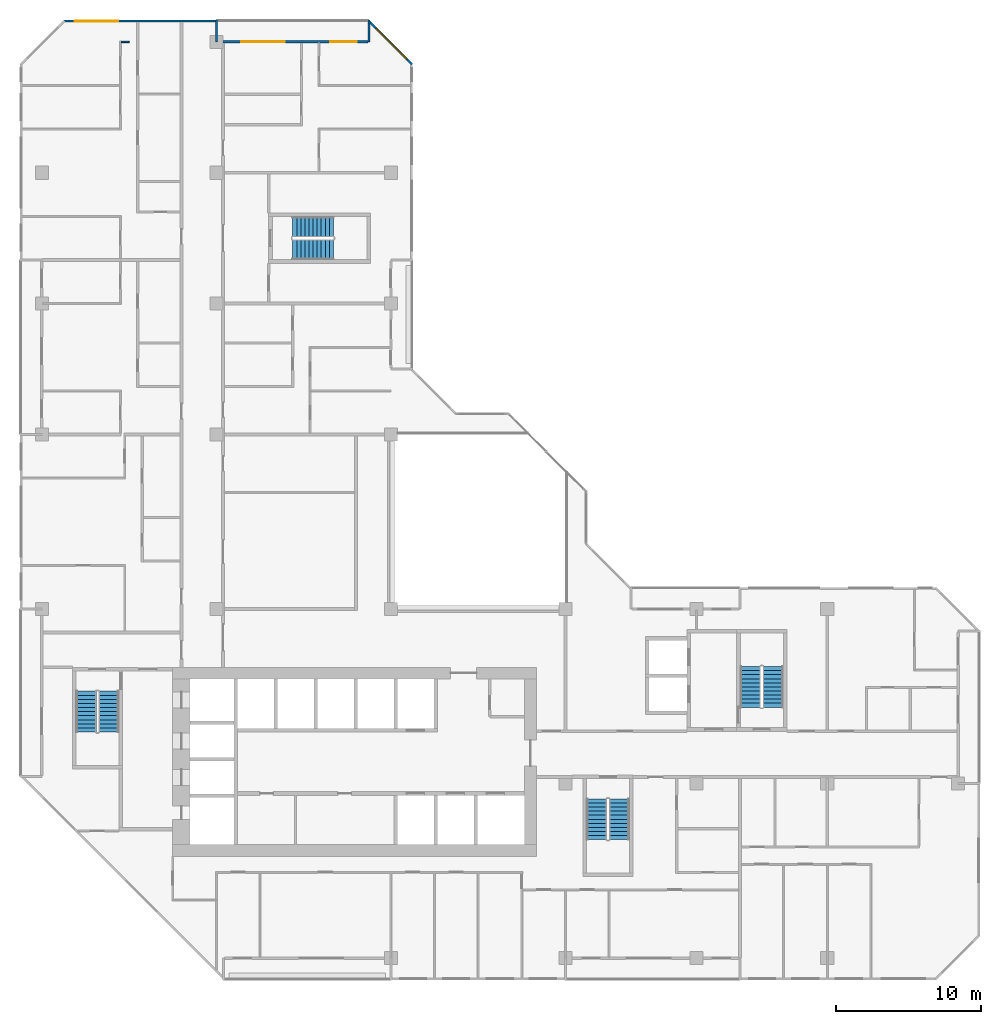
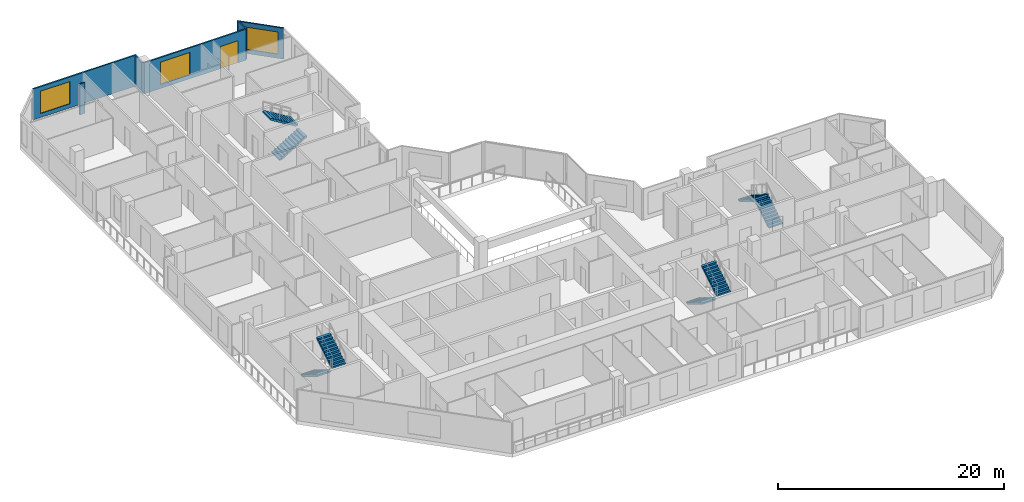
# One storey, part 13 of 15: 8 stair flights, 6 walls, 3 windows, 1 door, 4 openings, 4 elements without a shape of their own.
"""IFC4 building model written with IfcOpenShell, lengths in metres."""

from ifc_helpers import new_model, si_unit, direction, frame, frame_2d, origin, place, context, subcontext, project, spatial, polyline, rectangle, outline, extrude, material, layer, layer_set, type_object, element, fill, aggregate, save


model = new_model("IFC4")

# Units and contexts
model_context = context("Model", 3, precision=1e-05, world=origin(), true_north=direction((0.0, 1.0)))
body_context = subcontext(model_context, "Body", "Model", "MODEL_VIEW")
ifc_project = project(units=[si_unit("LENGTHUNIT", "METRE"), si_unit("AREAUNIT", "SQUARE_METRE"), si_unit("VOLUMEUNIT", "CUBIC_METRE"), si_unit("PLANEANGLEUNIT", "RADIAN"), si_unit("MASSUNIT", "GRAM", prefix="KILO")], contexts=[model_context])

# Site, building, storey
site_placement = place(None, origin())
site = spatial("IfcSite", under=ifc_project, at=site_placement, CompositionType="ELEMENT")
building_placement = place(site_placement, origin())
building = spatial("IfcBuilding", under=site, at=building_placement, Name="Chenar Terraces", CompositionType="ELEMENT")
storey_placement = place(building_placement, frame((0.0, 0.0, 198.64990234375)))
storey = spatial("IfcBuildingStorey", under=building, at=storey_placement, Name="L46", CompositionType="ELEMENT", Elevation=198.64990234375)

# Wall, opening, window
ifc_material_1 = material(Name="Aluminium framed glazing", Category="aluminium")
ifc_layer_1 = layer(ifc_material_1, 0.14990234375)
ifc_layer_set_1 = layer_set([ifc_layer_1], Name="Aluminium framed glazing")
wall_type_1 = type_object("IfcWallType", Name="Glazed flush facade wall 150", PredefinedType="SOLIDWALL", material=ifc_layer_set_1)
wall_1_placement = place(storey_placement, frame((11.925048828125, 64.425048828125, 0.0), z_axis=(0.0, 0.0, 1.0), x_axis=(-1.0, 0.0, 0.0)))
wall_1 = element("IfcWall", 1, at=wall_1_placement, inside=storey, type_object=wall_type_1, Name="Glazed flush facade wall", PredefinedType="SOLIDWALL", context=body_context, shape_type="SweptSolid", body=[
    extrude(rectangle(XDim=10.425048828125, YDim=0.14990234375, at=frame_2d((5.21240234375, 0.0))), origin(), (0.0, 0.0, 1.0), 3.35009765625),
])
opening_1_placement = place(wall_1_placement, frame((6.675048828125, 0.0, 0.449951171875)))
opening_1 = element("IfcOpeningElement", 2, at=opening_1_placement, cuts=wall_1, Name="Opening W300x240", PredefinedType="OPENING", context=body_context, shape_type="SweptSolid", body=[
    extrude(rectangle(XDim=3.0, YDim=2.39990234375, at=frame_2d((1.5, 1.199951171875))), frame((0.0, 0.0849609375, 0.0), z_axis=(0.0, -1.0, 0.0), x_axis=(1.0, 0.0, 0.0)), (0.0, 0.0, 1.0), 0.169921875),
])
ifc_material_2 = material(Name="Low emissivity double glazing, aluminium frame", Category="aluminium")
window_type = type_object("IfcWindowType", Name="Fixed light 3000 x 2400", PartitioningType="SINGLE_PANEL", PredefinedType="WINDOW", material=ifc_material_2)
window_1_placement = place(opening_1_placement, origin())
window_1 = element("IfcWindow", 3, at=window_1_placement, inside=storey, type_object=window_type, Name="Window", OverallHeight=2.39990234375, OverallWidth=3.0, PartitioningType="SINGLE_PANEL", PredefinedType="WINDOW", context=body_context, shape_type="SweptSolid", body=[
    extrude(rectangle(XDim=3.0, YDim=2.39990234375, at=frame_2d((1.5, 1.199951171875))), frame((0.0, 0.030029296875, 0.0), z_axis=(0.0, -1.0, 0.0), x_axis=(1.0, 0.0, 0.0)), (0.0, 0.0, 1.0), 0.06005859375),
])
fill(opening_1, window_1)

# Wall, openings, window, door
ifc_material_3 = material(Name="Aluminium framed glazing", Category="aluminium")
ifc_layer_2 = layer(ifc_material_3, 0.14990234375)
ifc_layer_set_2 = layer_set([ifc_layer_2], Name="Aluminium framed glazing")
wall_type_2 = type_object("IfcWallType", Name="Glazed loggia back wall 150", PredefinedType="SOLIDWALL", material=ifc_layer_set_2)
wall_2_placement = place(storey_placement, frame((22.425048828125, 63.0, 0.0), z_axis=(0.0, 0.0, 1.0), x_axis=(-1.0, 0.0, 0.0)))
wall_2 = element("IfcWall", 4, at=wall_2_placement, inside=storey, type_object=wall_type_2, Name="Glazed loggia back wall", PredefinedType="SOLIDWALL", context=body_context, shape_type="SweptSolid", body=[
    extrude(rectangle(XDim=10.35009765625, YDim=0.14990234375, at=frame_2d((5.175048828125, 0.0))), origin(), (0.0, 0.0, 1.0), 3.35009765625),
])
opening_2_placement = place(wall_2_placement, frame((0.78759765625, 0.0, 0.0)))
opening_2 = element("IfcOpeningElement", 5, at=opening_2_placement, cuts=wall_2, Name="Opening DL46-G2", PredefinedType="OPENING", context=body_context, shape_type="SweptSolid", body=[
    extrude(rectangle(XDim=1.800048828125, YDim=2.39990234375, at=frame_2d((0.89990234375, 1.199951171875))), frame((0.0, 0.0849609375, 0.0), z_axis=(0.0, -1.0, 0.0), x_axis=(1.0, 0.0, 0.0)), (0.0, 0.0, 1.0), 0.169921875),
])
opening_3_placement = place(wall_2_placement, frame((5.72509765625, 0.0, 0.449951171875)))
opening_3 = element("IfcOpeningElement", 6, at=opening_3_placement, cuts=wall_2, Name="Opening W300x240", PredefinedType="OPENING", context=body_context, shape_type="SweptSolid", body=[
    extrude(rectangle(XDim=3.0, YDim=2.39990234375, at=frame_2d((1.5, 1.199951171875))), frame((0.0, 0.0849609375, 0.0), z_axis=(0.0, -1.0, 0.0), x_axis=(1.0, 0.0, 0.0)), (0.0, 0.0, 1.0), 0.169921875),
])
window_2_placement = place(opening_3_placement, origin())
window_2 = element("IfcWindow", 7, at=window_2_placement, inside=storey, type_object=window_type, Name="Window", OverallHeight=2.39990234375, OverallWidth=3.0, PartitioningType="SINGLE_PANEL", PredefinedType="WINDOW", context=body_context, shape_type="SweptSolid", body=[
    extrude(rectangle(XDim=3.0, YDim=2.39990234375, at=frame_2d((1.5, 1.199951171875))), frame((0.0, 0.030029296875, 0.0), z_axis=(0.0, -1.0, 0.0), x_axis=(1.0, 0.0, 0.0)), (0.0, 0.0, 1.0), 0.06005859375),
])
fill(opening_3, window_2)
ifc_material_4 = material(Name="Low emissivity double glazing, aluminium frame", Category="aluminium")
door_type = type_object("IfcDoorType", Name="Loggia glazed double door 1800 x 2400", OperationType="DOUBLE_DOOR_SINGLE_SWING", PredefinedType="DOOR", material=ifc_material_4)
door_placement = place(opening_2_placement, frame((1.800048828125, 0.0, 0.0), z_axis=(0.0, 0.0, 1.0), x_axis=(-1.0, 0.0, 0.0)))
door = element("IfcDoor", 8, at=door_placement, inside=storey, type_object=door_type, Name="Loggia glazed door", OperationType="DOUBLE_DOOR_SINGLE_SWING", OverallHeight=2.39990234375, OverallWidth=1.800048828125, PredefinedType="DOOR", context=body_context, shape_type="SweptSolid", body=[
    extrude(rectangle(XDim=1.800048828125, YDim=2.39990234375, at=frame_2d((0.89990234375, 1.199951171875))), frame((0.0, 0.02490234375, 0.0), z_axis=(0.0, -1.0, 0.0), x_axis=(1.0, 0.0, 0.0)), (0.0, 0.0, 1.0), 0.050048828125),
])
fill(opening_2, door)

# Walls
ifc_material_5 = material(Name="Gypsum board on steel studs", Category="steel")
ifc_layer_3 = layer(ifc_material_5, 0.10009765625)
ifc_layer_set_3 = layer_set([ifc_layer_3], Name="Gypsum board on steel studs")
wall_type_3 = type_object("IfcWallType", Name="Gypsum partition 100", PredefinedType="PARTITIONING", material=ifc_layer_set_3)
wall_3_placement = place(storey_placement, frame((5.449951171875, 63.0, 0.0), z_axis=(0.0, 0.0, 1.0), x_axis=(1.0, 0.0, 0.0)))
element("IfcWall", 9, at=wall_3_placement, inside=storey, type_object=wall_type_3, Name="Partition L46-017", PredefinedType="PARTITIONING", context=body_context, shape_type="SweptSolid", body=[
    extrude(rectangle(XDim=0.550048828125, YDim=0.10009765625, at=frame_2d((0.27490234375, 0.0))), origin(), (0.0, 0.0, 1.0), 3.35009765625),
])
ifc_material_6 = material(Name="Terracotta cladding on insulated backing", Category="masonry")
ifc_layer_4 = layer(ifc_material_6, 0.14990234375)
ifc_layer_set_4 = layer_set([ifc_layer_4], Name="Terracotta cladding on insulated backing")
wall_type_4 = type_object("IfcWallType", Name="Loggia return wall 150", PredefinedType="SOLIDWALL", material=ifc_layer_set_4)
for number, where, z_axis, x_axis, name in (
    (10, (22.5, 64.5, 0.0), (0.0, 0.0, 1.0), (0.0, -1.0, 0.0), "Loggia return wall"),
    (11, (12.0, 64.5, 0.0), (0.0, 0.0, 1.0), (0.0, -1.0, 0.0), "Loggia return wall"),
):
    element("IfcWall", number, at=place(storey_placement, frame(where, z_axis=z_axis, x_axis=x_axis)), inside=storey, type_object=wall_type_4, Name=name, PredefinedType="SOLIDWALL", context=body_context, shape_type="SweptSolid", body=[
        extrude(rectangle(XDim=1.5, YDim=0.14990234375, at=frame_2d((0.75, 0.0))), origin(), (0.0, 0.0, 1.0), 3.35009765625),
    ])

# Wall, opening, window
ifc_material_7 = material(Name="Terracotta cladding on insulated backing", Category="masonry")
ifc_layer_5 = layer(ifc_material_7, 0.14990234375)
ifc_layer_set_5 = layer_set([ifc_layer_5], Name="Terracotta cladding on insulated backing")
wall_type_5 = type_object("IfcWallType", Name="Terracotta rainscreen wall 150", PredefinedType="SOLIDWALL", material=ifc_layer_set_5)
wall_4_placement = place(storey_placement, frame((25.447021484375, 61.447021484375, 0.0), z_axis=(0.0, 0.0, 1.0), x_axis=(-0.707106781187, 0.707106781187, 0.0)))
wall_4 = element("IfcWall", 12, at=wall_4_placement, inside=storey, type_object=wall_type_5, Name="Terracotta rainscreen wall", PredefinedType="SOLIDWALL", context=body_context, shape_type="SweptSolid", body=[
    extrude(rectangle(XDim=4.24267578125, YDim=0.14990234375, at=frame_2d((2.121337890625, 0.0))), origin(), (0.0, 0.0, 1.0), 3.35009765625),
])
opening_4_placement = place(wall_4_placement, frame((0.498046875, 0.0, 0.449951171875)))
opening_4 = element("IfcOpeningElement", 13, at=opening_4_placement, cuts=wall_4, Name="Opening W300x240", PredefinedType="OPENING", context=body_context, shape_type="SweptSolid", body=[
    extrude(rectangle(XDim=3.0, YDim=2.39990234375, at=frame_2d((1.5, 1.199951171875))), frame((0.0, 0.0849609375, 0.0), z_axis=(0.0, -1.0, 0.0), x_axis=(1.0, 0.0, 0.0)), (0.0, 0.0, 1.0), 0.169921875),
])
window_3_placement = place(opening_4_placement, origin())
window_3 = element("IfcWindow", 14, at=window_3_placement, inside=storey, type_object=window_type, Name="Window", OverallHeight=2.39990234375, OverallWidth=3.0, PartitioningType="SINGLE_PANEL", PredefinedType="WINDOW", context=body_context, shape_type="SweptSolid", body=[
    extrude(rectangle(XDim=3.0, YDim=2.39990234375, at=frame_2d((1.5, 1.199951171875))), frame((0.0, 0.030029296875, 0.0), z_axis=(0.0, -1.0, 0.0), x_axis=(1.0, 0.0, 0.0)), (0.0, 0.0, 1.0), 0.06005859375),
])
fill(opening_4, window_3)

# Stair, stair flights
ifc_material_8 = material(Name="Reinforced concrete C40/50", Category="concrete")
stair_type = type_object("IfcStairType", Name="Core stair 1400 half-turn", PredefinedType="HALF_TURN_STAIR", material=ifc_material_8)
placement = place(storey_placement, origin())
stair_1 = element("IfcStair", 15, at=placement, inside=storey, type_object=stair_type, Name="L46 Stair 1", PredefinedType="HALF_TURN_STAIR")
ifc_material_9 = material(Name="Reinforced concrete C40/50", Category="concrete")
stair_flight_type = type_object("IfcStairFlightType", Name="Core stair flight 1400", PredefinedType="STRAIGHT", material=ifc_material_9)
stair_flight_1_placement = place(storey_placement, frame((3.050048828125, 18.35009765625, 0.0), z_axis=(0.0, 0.0, 1.0), x_axis=(0.0, -1.0, 0.0)))
stair_flight_1 = element("IfcStairFlight", 16, at=stair_flight_1_placement, type_object=stair_flight_type, Name="ST1 flight 1", NumberOfRisers=11, NumberOfTreads=10, PredefinedType="STRAIGHT", RiserHeight=0.170454545, TreadLength=0.28, context=body_context, shape_type="SweptSolid", body=[
    extrude(outline(polyline([(-0.0029296875, 0.0), (-0.0029296875, 0.17041015625), (0.0, 0.17041015625), (0.280029296875, 0.17041015625), (0.280029296875, 0.3408203125), (0.56005859375, 0.3408203125), (0.56005859375, 0.511474609375), (0.840087890625, 0.511474609375), (0.840087890625, 0.681884765625), (1.1201171875, 0.681884765625), (1.1201171875, 0.852294921875), (1.39990234375, 0.852294921875), (1.39990234375, 1.022705078125), (1.679931640625, 1.022705078125), (1.679931640625, 1.193115234375), (1.9599609375, 1.193115234375), (1.9599609375, 1.363525390625), (2.239990234375, 1.363525390625), (2.239990234375, 1.5341796875), (2.52001953125, 1.5341796875), (2.52001953125, 1.70458984375), (2.800048828125, 1.70458984375), (2.802978515625, 1.70458984375), (2.802978515625, 1.529052734375), (2.800048828125, 1.529052734375), (0.288330078125, 0.0), (-0.0029296875, 0.0)])), frame((0.0, 0.699951171875, 0.0), z_axis=(0.0, -1.0, 0.0), x_axis=(1.0, 0.0, 0.0)), (0.0, 0.0, 1.0), 1.39990234375),
])
stair_flight_2_placement = place(storey_placement, frame((4.60009765625, 15.550048828125, 1.875), z_axis=(0.0, 0.0, 1.0), x_axis=(0.0, 1.0, 0.0)))
stair_flight_2 = element("IfcStairFlight", 17, at=stair_flight_2_placement, type_object=stair_flight_type, Name="ST1 flight 2", NumberOfRisers=11, NumberOfTreads=10, PredefinedType="STRAIGHT", RiserHeight=0.170454545, TreadLength=0.28, context=body_context, shape_type="SweptSolid", body=[
    extrude(outline(polyline([(-0.0029296875, 0.0), (-0.0029296875, 0.17041015625), (0.0, 0.17041015625), (0.280029296875, 0.17041015625), (0.280029296875, 0.3408203125), (0.56005859375, 0.3408203125), (0.56005859375, 0.511474609375), (0.840087890625, 0.511474609375), (0.840087890625, 0.681884765625), (1.1201171875, 0.681884765625), (1.1201171875, 0.852294921875), (1.39990234375, 0.852294921875), (1.39990234375, 1.022705078125), (1.679931640625, 1.022705078125), (1.679931640625, 1.193115234375), (1.9599609375, 1.193115234375), (1.9599609375, 1.363525390625), (2.239990234375, 1.363525390625), (2.239990234375, 1.5341796875), (2.52001953125, 1.5341796875), (2.52001953125, 1.70458984375), (2.800048828125, 1.70458984375), (2.802978515625, 1.70458984375), (2.802978515625, 1.529052734375), (2.800048828125, 1.529052734375), (0.288330078125, 0.0), (-0.0029296875, 0.0)])), frame((0.0, 0.699951171875, 0.0), z_axis=(0.0, -1.0, 0.0), x_axis=(1.0, 0.0, 0.0)), (0.0, 0.0, 1.0), 1.39990234375),
])
aggregate(stair_1, [stair_flight_1, stair_flight_2])

stair_2 = element("IfcStair", 18, at=placement, inside=storey, type_object=stair_type, Name="L46 Stair 2", PredefinedType="HALF_TURN_STAIR")
stair_flight_3_placement = place(storey_placement, frame((38.14990234375, 10.949951171875, 0.0), z_axis=(0.0, 0.0, 1.0), x_axis=(0.0, -1.0, 0.0)))
stair_flight_3 = element("IfcStairFlight", 19, at=stair_flight_3_placement, type_object=stair_flight_type, Name="ST2 flight 1", NumberOfRisers=11, NumberOfTreads=10, PredefinedType="STRAIGHT", RiserHeight=0.170454545, TreadLength=0.28, context=body_context, shape_type="SweptSolid", body=[
    extrude(outline(polyline([(-0.0029296875, 0.0), (-0.0029296875, 0.17041015625), (0.0, 0.17041015625), (0.280029296875, 0.17041015625), (0.280029296875, 0.3408203125), (0.56005859375, 0.3408203125), (0.56005859375, 0.511474609375), (0.840087890625, 0.511474609375), (0.840087890625, 0.681884765625), (1.1201171875, 0.681884765625), (1.1201171875, 0.852294921875), (1.39990234375, 0.852294921875), (1.39990234375, 1.022705078125), (1.679931640625, 1.022705078125), (1.679931640625, 1.193115234375), (1.9599609375, 1.193115234375), (1.9599609375, 1.363525390625), (2.239990234375, 1.363525390625), (2.239990234375, 1.5341796875), (2.52001953125, 1.5341796875), (2.52001953125, 1.70458984375), (2.800048828125, 1.70458984375), (2.802978515625, 1.70458984375), (2.802978515625, 1.529052734375), (2.800048828125, 1.529052734375), (0.288330078125, 0.0), (-0.0029296875, 0.0)])), frame((0.0, 0.699951171875, 0.0), z_axis=(0.0, -1.0, 0.0), x_axis=(1.0, 0.0, 0.0)), (0.0, 0.0, 1.0), 1.39990234375),
])
stair_flight_4_placement = place(storey_placement, frame((39.699951171875, 8.14990234375, 1.875), z_axis=(0.0, 0.0, 1.0), x_axis=(0.0, 1.0, 0.0)))
stair_flight_4 = element("IfcStairFlight", 20, at=stair_flight_4_placement, type_object=stair_flight_type, Name="ST2 flight 2", NumberOfRisers=11, NumberOfTreads=10, PredefinedType="STRAIGHT", RiserHeight=0.170454545, TreadLength=0.28, context=body_context, shape_type="SweptSolid", body=[
    extrude(outline(polyline([(-0.0029296875, 0.0), (-0.0029296875, 0.17041015625), (0.0, 0.17041015625), (0.280029296875, 0.17041015625), (0.280029296875, 0.3408203125), (0.56005859375, 0.3408203125), (0.56005859375, 0.511474609375), (0.840087890625, 0.511474609375), (0.840087890625, 0.681884765625), (1.1201171875, 0.681884765625), (1.1201171875, 0.852294921875), (1.39990234375, 0.852294921875), (1.39990234375, 1.022705078125), (1.679931640625, 1.022705078125), (1.679931640625, 1.193115234375), (1.9599609375, 1.193115234375), (1.9599609375, 1.363525390625), (2.239990234375, 1.363525390625), (2.239990234375, 1.5341796875), (2.52001953125, 1.5341796875), (2.52001953125, 1.70458984375), (2.800048828125, 1.70458984375), (2.802978515625, 1.70458984375), (2.802978515625, 1.529052734375), (2.800048828125, 1.529052734375), (0.288330078125, 0.0), (-0.0029296875, 0.0)])), frame((0.0, 0.699951171875, 0.0), z_axis=(0.0, -1.0, 0.0), x_axis=(1.0, 0.0, 0.0)), (0.0, 0.0, 1.0), 1.39990234375),
])
aggregate(stair_2, [stair_flight_3, stair_flight_4])

stair_3 = element("IfcStair", 21, at=placement, inside=storey, type_object=stair_type, Name="L46 Stair 3", PredefinedType="HALF_TURN_STAIR")
stair_flight_5_placement = place(storey_placement, frame((50.27490234375, 17.25, 0.0), z_axis=(0.0, 0.0, 1.0), x_axis=(0.0, 1.0, 0.0)))
stair_flight_5 = element("IfcStairFlight", 22, at=stair_flight_5_placement, type_object=stair_flight_type, Name="ST3 flight 1", NumberOfRisers=11, NumberOfTreads=10, PredefinedType="STRAIGHT", RiserHeight=0.170454545, TreadLength=0.28, context=body_context, shape_type="SweptSolid", body=[
    extrude(outline(polyline([(-0.0029296875, 0.0), (-0.0029296875, 0.17041015625), (0.0, 0.17041015625), (0.280029296875, 0.17041015625), (0.280029296875, 0.3408203125), (0.56005859375, 0.3408203125), (0.56005859375, 0.511474609375), (0.840087890625, 0.511474609375), (0.840087890625, 0.681884765625), (1.1201171875, 0.681884765625), (1.1201171875, 0.852294921875), (1.39990234375, 0.852294921875), (1.39990234375, 1.022705078125), (1.679931640625, 1.022705078125), (1.679931640625, 1.193115234375), (1.9599609375, 1.193115234375), (1.9599609375, 1.363525390625), (2.239990234375, 1.363525390625), (2.239990234375, 1.5341796875), (2.52001953125, 1.5341796875), (2.52001953125, 1.70458984375), (2.800048828125, 1.70458984375), (2.802978515625, 1.70458984375), (2.802978515625, 1.529052734375), (2.800048828125, 1.529052734375), (0.288330078125, 0.0), (-0.0029296875, 0.0)])), frame((0.0, 0.699951171875, 0.0), z_axis=(0.0, -1.0, 0.0), x_axis=(1.0, 0.0, 0.0)), (0.0, 0.0, 1.0), 1.39990234375),
])
stair_flight_6_placement = place(storey_placement, frame((48.72509765625, 20.050048828125, 1.875), z_axis=(0.0, 0.0, 1.0), x_axis=(0.0, -1.0, 0.0)))
stair_flight_6 = element("IfcStairFlight", 23, at=stair_flight_6_placement, type_object=stair_flight_type, Name="ST3 flight 2", NumberOfRisers=11, NumberOfTreads=10, PredefinedType="STRAIGHT", RiserHeight=0.170454545, TreadLength=0.28, context=body_context, shape_type="SweptSolid", body=[
    extrude(outline(polyline([(-0.0029296875, 0.0), (-0.0029296875, 0.17041015625), (0.0, 0.17041015625), (0.280029296875, 0.17041015625), (0.280029296875, 0.3408203125), (0.56005859375, 0.3408203125), (0.56005859375, 0.511474609375), (0.840087890625, 0.511474609375), (0.840087890625, 0.681884765625), (1.1201171875, 0.681884765625), (1.1201171875, 0.852294921875), (1.39990234375, 0.852294921875), (1.39990234375, 1.022705078125), (1.679931640625, 1.022705078125), (1.679931640625, 1.193115234375), (1.9599609375, 1.193115234375), (1.9599609375, 1.363525390625), (2.239990234375, 1.363525390625), (2.239990234375, 1.5341796875), (2.52001953125, 1.5341796875), (2.52001953125, 1.70458984375), (2.800048828125, 1.70458984375), (2.802978515625, 1.70458984375), (2.802978515625, 1.529052734375), (2.800048828125, 1.529052734375), (0.288330078125, 0.0), (-0.0029296875, 0.0)])), frame((0.0, 0.699951171875, 0.0), z_axis=(0.0, -1.0, 0.0), x_axis=(1.0, 0.0, 0.0)), (0.0, 0.0, 1.0), 1.39990234375),
])
aggregate(stair_3, [stair_flight_5, stair_flight_6])

stair_4 = element("IfcStair", 24, at=placement, inside=storey, type_object=stair_type, Name="L46 Stair 4", PredefinedType="HALF_TURN_STAIR")
stair_flight_7_placement = place(storey_placement, frame((17.25, 48.72509765625, 0.0), z_axis=(0.0, 0.0, 1.0), x_axis=(1.0, 0.0, 0.0)))
stair_flight_7 = element("IfcStairFlight", 25, at=stair_flight_7_placement, type_object=stair_flight_type, Name="ST4 flight 1", NumberOfRisers=11, NumberOfTreads=10, PredefinedType="STRAIGHT", RiserHeight=0.170454545, TreadLength=0.28, context=body_context, shape_type="SweptSolid", body=[
    extrude(outline(polyline([(-0.0029296875, 0.0), (-0.0029296875, 0.17041015625), (0.0, 0.17041015625), (0.280029296875, 0.17041015625), (0.280029296875, 0.3408203125), (0.56005859375, 0.3408203125), (0.56005859375, 0.511474609375), (0.840087890625, 0.511474609375), (0.840087890625, 0.681884765625), (1.1201171875, 0.681884765625), (1.1201171875, 0.852294921875), (1.39990234375, 0.852294921875), (1.39990234375, 1.022705078125), (1.679931640625, 1.022705078125), (1.679931640625, 1.193115234375), (1.9599609375, 1.193115234375), (1.9599609375, 1.363525390625), (2.239990234375, 1.363525390625), (2.239990234375, 1.5341796875), (2.52001953125, 1.5341796875), (2.52001953125, 1.70458984375), (2.800048828125, 1.70458984375), (2.802978515625, 1.70458984375), (2.802978515625, 1.529052734375), (2.800048828125, 1.529052734375), (0.288330078125, 0.0), (-0.0029296875, 0.0)])), frame((0.0, 0.699951171875, 0.0), z_axis=(0.0, -1.0, 0.0), x_axis=(1.0, 0.0, 0.0)), (0.0, 0.0, 1.0), 1.39990234375),
])
stair_flight_8_placement = place(storey_placement, frame((20.050048828125, 50.27490234375, 1.875), z_axis=(0.0, 0.0, 1.0), x_axis=(-1.0, 0.0, 0.0)))
stair_flight_8 = element("IfcStairFlight", 26, at=stair_flight_8_placement, type_object=stair_flight_type, Name="ST4 flight 2", NumberOfRisers=11, NumberOfTreads=10, PredefinedType="STRAIGHT", RiserHeight=0.170454545, TreadLength=0.28, context=body_context, shape_type="SweptSolid", body=[
    extrude(outline(polyline([(-0.0029296875, 0.0), (-0.0029296875, 0.17041015625), (0.0, 0.17041015625), (0.280029296875, 0.17041015625), (0.280029296875, 0.3408203125), (0.56005859375, 0.3408203125), (0.56005859375, 0.511474609375), (0.840087890625, 0.511474609375), (0.840087890625, 0.681884765625), (1.1201171875, 0.681884765625), (1.1201171875, 0.852294921875), (1.39990234375, 0.852294921875), (1.39990234375, 1.022705078125), (1.679931640625, 1.022705078125), (1.679931640625, 1.193115234375), (1.9599609375, 1.193115234375), (1.9599609375, 1.363525390625), (2.239990234375, 1.363525390625), (2.239990234375, 1.5341796875), (2.52001953125, 1.5341796875), (2.52001953125, 1.70458984375), (2.800048828125, 1.70458984375), (2.802978515625, 1.70458984375), (2.802978515625, 1.529052734375), (2.800048828125, 1.529052734375), (0.288330078125, 0.0), (-0.0029296875, 0.0)])), frame((0.0, 0.699951171875, 0.0), z_axis=(0.0, -1.0, 0.0), x_axis=(1.0, 0.0, 0.0)), (0.0, 0.0, 1.0), 1.39990234375),
])
aggregate(stair_4, [stair_flight_7, stair_flight_8])

save(model, "model.ifc")
